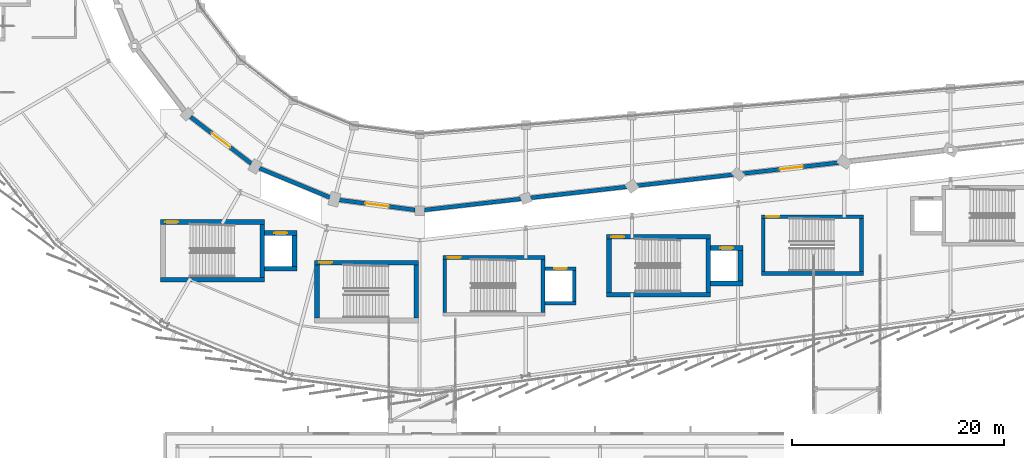
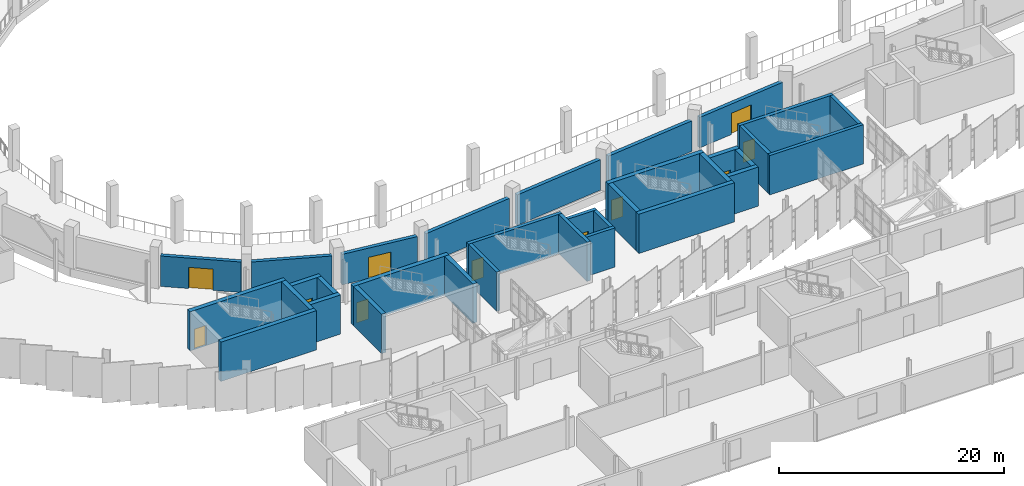
# One storey, part 104 of 125: 33 walls, 11 doors, 11 openings.
"""IFC4 building model written with IfcOpenShell, lengths in metres."""

from ifc_helpers import new_model, si_unit, direction, frame, frame_2d, origin, place, context, subcontext, project, spatial, rectangle, extrude, material, layer, layer_set, type_object, element, fill, save


model = new_model("IFC4")

# Units and contexts
model_context = context("Model", 3, precision=1e-05, world=origin(), true_north=direction((0.0, 1.0)))
body_context = subcontext(model_context, "Body", "Model", "MODEL_VIEW")
ifc_project = project(units=[si_unit("LENGTHUNIT", "METRE"), si_unit("AREAUNIT", "SQUARE_METRE"), si_unit("VOLUMEUNIT", "CUBIC_METRE"), si_unit("PLANEANGLEUNIT", "RADIAN"), si_unit("MASSUNIT", "GRAM", prefix="KILO")], contexts=[model_context])

# Site, building, storey
site_placement = place(None, origin())
site = spatial("IfcSite", under=ifc_project, at=site_placement, CompositionType="ELEMENT")
building_placement = place(site_placement, origin())
building = spatial("IfcBuilding", under=site, at=building_placement, Name="Sohan Crest Arena", CompositionType="ELEMENT")
storey_placement = place(building_placement, frame((0.0, 0.0, 9.0)))
storey = spatial("IfcBuildingStorey", under=building, at=storey_placement, Name="L02", CompositionType="ELEMENT", Elevation=9.0)

# Wall, opening, door
ifc_material_1 = material(Name="Acoustic insulated bowl drum enclosure wall", Category="masonry")
ifc_layer_1 = layer(ifc_material_1, 0.3701171875, Name="Acoustic insulated bowl drum enclosure wall")
ifc_layer_set_1 = layer_set([ifc_layer_1], Name="Acoustic insulated bowl drum enclosure wall")
wall_type_1 = type_object("IfcWallType", Name="WAL-EW05", PredefinedType="SOLIDWALL", material=ifc_layer_set_1)
wall_1_placement = place(storey_placement, frame((76.428955078125, 55.81201171875, 0.0), z_axis=(0.0, 0.0, 1.0), x_axis=(0.793318070515, -0.608807390719, 0.0)))
wall_1 = element("IfcWall", 1, at=wall_1_placement, inside=storey, type_object=wall_type_1, Name="Acoustic bowl drum wall BW-L02-10", PredefinedType="SOLIDWALL", context=body_context, shape_type="SweptSolid", body=[
    extrude(rectangle(XDim=7.212646484375, YDim=0.3701171875, at=frame_2d((3.6064453125, 0.0))), origin(), (0.0, 0.0, 1.0), 3.300048828125),
])
opening_1_placement = place(wall_1_placement, frame((2.506103515625, 0.0, 0.0)))
opening_1 = element("IfcOpeningElement", 2, at=opening_1_placement, cuts=wall_1, Name="Opening VD-L02-10", PredefinedType="OPENING", context=body_context, shape_type="SweptSolid", body=[
    extrude(rectangle(XDim=2.199951171875, YDim=2.300048828125, at=frame_2d((1.10009765625, 1.14990234375))), frame((0.0, 0.195068359375, 0.0), z_axis=(0.0, -1.0, 0.0), x_axis=(1.0, 0.0, 0.0)), (0.0, 0.0, 1.0), 0.39013671875),
])
ifc_material_2 = material(Name="Fire-rated steel double escape door", Category="steel")
door_type_1 = type_object("IfcDoorType", Name="DR-FD01", OperationType="DOUBLE_DOOR_SINGLE_SWING", PredefinedType="DOOR", material=ifc_material_2)
door_1_placement = place(opening_1_placement, origin())
door_1 = element("IfcDoor", 3, at=door_1_placement, inside=storey, type_object=door_type_1, Name="Bowl vomitory portal fire door VD-L02-10", OperationType="DOUBLE_DOOR_SINGLE_SWING", OverallHeight=2.300048828125, OverallWidth=2.199951171875, PredefinedType="DOOR", context=body_context, shape_type="SweptSolid", body=[
    extrude(rectangle(XDim=2.199951171875, YDim=2.300048828125, at=frame_2d((1.10009765625, 1.14990234375))), frame((0.0, 0.02490234375, 0.0), z_axis=(0.0, -1.0, 0.0), x_axis=(1.0, 0.0, 0.0)), (0.0, 0.0, 1.0), 0.050048828125),
])
fill(opening_1, door_1)

# Wall
wall_2_placement = place(storey_placement, frame((82.906982421875, 50.985107421875, 0.0), z_axis=(0.0, 0.0, 1.0), x_axis=(0.923828261086, -0.382807189089, 0.0)))
element("IfcWall", 4, at=wall_2_placement, inside=storey, type_object=wall_type_1, Name="Acoustic bowl drum wall BW-L02-11", PredefinedType="SOLIDWALL", context=body_context, shape_type="SweptSolid", body=[
    extrude(rectangle(XDim=7.21240234375, YDim=0.3701171875, at=frame_2d((3.606201171875, 0.0))), origin(), (0.0, 0.0, 1.0), 3.300048828125),
])

# Wall, opening, door
wall_3_placement = place(storey_placement, frame((90.4130859375, 47.9990234375, 0.0), z_axis=(0.0, 0.0, 1.0), x_axis=(0.991432160885, -0.130622625772, 0.0)))
wall_3 = element("IfcWall", 5, at=wall_3_placement, inside=storey, type_object=wall_type_1, Name="Acoustic bowl drum wall BW-L02-12", PredefinedType="SOLIDWALL", context=body_context, shape_type="SweptSolid", body=[
    extrude(rectangle(XDim=7.212646484375, YDim=0.3701171875, at=frame_2d((3.6064453125, 0.0))), origin(), (0.0, 0.0, 1.0), 3.300048828125),
])
opening_2_placement = place(wall_3_placement, frame((2.506103515625, 0.0, 0.0)))
opening_2 = element("IfcOpeningElement", 6, at=opening_2_placement, cuts=wall_3, Name="Opening VD-L02-12", PredefinedType="OPENING", context=body_context, shape_type="SweptSolid", body=[
    extrude(rectangle(XDim=2.199951171875, YDim=2.300048828125, at=frame_2d((1.10009765625, 1.14990234375))), frame((0.0, 0.195068359375, 0.0), z_axis=(0.0, -1.0, 0.0), x_axis=(1.0, 0.0, 0.0)), (0.0, 0.0, 1.0), 0.39013671875),
])
door_2_placement = place(opening_2_placement, origin())
door_2 = element("IfcDoor", 7, at=door_2_placement, inside=storey, type_object=door_type_1, Name="Bowl vomitory portal fire door VD-L02-12", OperationType="DOUBLE_DOOR_SINGLE_SWING", OverallHeight=2.300048828125, OverallWidth=2.199951171875, PredefinedType="DOOR", context=body_context, shape_type="SweptSolid", body=[
    extrude(rectangle(XDim=2.199951171875, YDim=2.300048828125, at=frame_2d((1.10009765625, 1.14990234375))), frame((0.0, 0.02490234375, 0.0), z_axis=(0.0, -1.0, 0.0), x_axis=(1.0, 0.0, 0.0)), (0.0, 0.0, 1.0), 0.050048828125),
])
fill(opening_2, door_2)

# Walls
for number, where, z_axis, x_axis, name in (
    (8, (98.43701171875, 47.050048828125, 0.0), (0.0, 0.0, 1.0), (0.993532672656, 0.113546591161, 0.0), "Acoustic bowl drum wall BW-L02-13"),
    (9, (108.43701171875, 48.193115234375, 0.0), (0.0, 0.0, 1.0), (0.993532672656, 0.113546591161, 0.0), "Acoustic bowl drum wall BW-L02-14"),
    (10, (118.43701171875, 49.3359375, 0.0), (0.0, 0.0, 1.0), (0.993532672656, 0.113546591161, 0.0), "Acoustic bowl drum wall BW-L02-15"),
):
    element("IfcWall", number, at=place(storey_placement, frame(where, z_axis=z_axis, x_axis=x_axis)), inside=storey, type_object=wall_type_1, Name=name, PredefinedType="SOLIDWALL", context=body_context, shape_type="SweptSolid", body=[
        extrude(rectangle(XDim=9.185302734375, YDim=0.3701171875, at=frame_2d((4.5927734375, 0.0))), origin(), (0.0, 0.0, 1.0), 3.300048828125),
    ])

# Wall, opening, door
wall_4_placement = place(storey_placement, frame((128.43701171875, 50.47900390625, 0.0), z_axis=(0.0, 0.0, 1.0), x_axis=(0.993544661122, 0.113441642955, 0.0)))
wall_4 = element("IfcWall", 11, at=wall_4_placement, inside=storey, type_object=wall_type_1, Name="Acoustic bowl drum wall BW-L02-16", PredefinedType="SOLIDWALL", context=body_context, shape_type="SweptSolid", body=[
    extrude(rectangle(XDim=9.185302734375, YDim=0.3701171875, at=frame_2d((4.5927734375, 0.0))), origin(), (0.0, 0.0, 1.0), 3.300048828125),
])
opening_3_placement = place(wall_4_placement, frame((3.492919921875, 0.0, 0.0)))
opening_3 = element("IfcOpeningElement", 12, at=opening_3_placement, cuts=wall_4, Name="Opening VD-L02-16", PredefinedType="OPENING", context=body_context, shape_type="SweptSolid", body=[
    extrude(rectangle(XDim=2.199951171875, YDim=2.300048828125, at=frame_2d((1.10009765625, 1.14990234375))), frame((0.0, 0.195068359375, 0.0), z_axis=(0.0, -1.0, 0.0), x_axis=(1.0, 0.0, 0.0)), (0.0, 0.0, 1.0), 0.39013671875),
])
door_3_placement = place(opening_3_placement, origin())
door_3 = element("IfcDoor", 13, at=door_3_placement, inside=storey, type_object=door_type_1, Name="Bowl vomitory portal fire door VD-L02-16", OperationType="DOUBLE_DOOR_SINGLE_SWING", OverallHeight=2.300048828125, OverallWidth=2.199951171875, PredefinedType="DOOR", context=body_context, shape_type="SweptSolid", body=[
    extrude(rectangle(XDim=2.199951171875, YDim=2.300048828125, at=frame_2d((1.10009765625, 1.14990234375))), frame((0.0, 0.02490234375, 0.0), z_axis=(0.0, -1.0, 0.0), x_axis=(1.0, 0.0, 0.0)), (0.0, 0.0, 1.0), 0.050048828125),
])
fill(opening_3, door_3)

# Walls
ifc_material_3 = material(Name="Concrete C40/50", Category="concrete")
ifc_layer_2 = layer(ifc_material_3, 0.35009765625, Name="Concrete C40/50")
ifc_layer_set_2 = layer_set([ifc_layer_2], Name="Concrete C40/50")
wall_type_2 = type_object("IfcWallType", Name="WAL-SW02", PredefinedType="SHEAR", material=ifc_layer_set_2)
for number, where, z_axis, x_axis, name in (
    (14, (100.375, 37.39990234375, 0.0), (0.0, 0.0, 1.0), (0.0, 1.0, 0.0), "Core shear wall SW-0257"),
    (15, (109.625, 37.39990234375, 0.0), (0.0, 0.0, 1.0), (0.0, 1.0, 0.0), "Core shear wall SW-0258"),
):
    element("IfcWall", number, at=place(storey_placement, frame(where, z_axis=z_axis, x_axis=x_axis)), inside=storey, type_object=wall_type_2, Name=name, PredefinedType="SHEAR", context=body_context, shape_type="SweptSolid", body=[
        extrude(rectangle(XDim=5.0, YDim=0.35009765625, at=frame_2d((2.5, 0.0))), origin(), (0.0, 0.0, 1.0), 4.25),
    ])

# Wall, opening, door
wall_5_placement = place(storey_placement, frame((100.199951171875, 42.574951171875, 0.0), z_axis=(0.0, 0.0, 1.0), x_axis=(1.0, 0.0, 0.0)))
wall_5 = element("IfcWall", 16, at=wall_5_placement, inside=storey, type_object=wall_type_2, Name="Core shear wall SW-0260", PredefinedType="SHEAR", context=body_context, shape_type="SweptSolid", body=[
    extrude(rectangle(XDim=9.60009765625, YDim=0.35009765625, at=frame_2d((4.800048828125, 0.0))), origin(), (0.0, 0.0, 1.0), 4.25),
])
opening_4_placement = place(wall_5_placement, frame((0.449951171875, 0.0, 0.0)))
opening_4 = element("IfcOpeningElement", 17, at=opening_4_placement, cuts=wall_5, Name="Opening SD-0075", PredefinedType="OPENING", context=body_context, shape_type="SweptSolid", body=[
    extrude(rectangle(XDim=1.199951171875, YDim=2.199951171875, at=frame_2d((0.60009765625, 1.10009765625))), frame((0.0, 0.18505859375, 0.0), z_axis=(0.0, -1.0, 0.0), x_axis=(1.0, 0.0, 0.0)), (0.0, 0.0, 1.0), 0.3701171875),
])
ifc_material_4 = material(Name="Fire-rated steel stair and lobby door", Category="steel")
door_type_2 = type_object("IfcDoorType", Name="DR-FD04", OperationType="NOTDEFINED", PredefinedType="DOOR", material=ifc_material_4)
door_4_placement = place(opening_4_placement, origin())
door_4 = element("IfcDoor", 18, at=door_4_placement, inside=storey, type_object=door_type_2, Name="Protected stair door SD-0075", OperationType="SINGLE_SWING_LEFT", OverallHeight=2.199951171875, OverallWidth=1.199951171875, PredefinedType="DOOR", context=body_context, shape_type="SweptSolid", body=[
    extrude(rectangle(XDim=1.199951171875, YDim=2.199951171875, at=frame_2d((0.60009765625, 1.10009765625))), frame((0.0, 0.02490234375, 0.0), z_axis=(0.0, -1.0, 0.0), x_axis=(1.0, 0.0, 0.0)), (0.0, 0.0, 1.0), 0.050048828125),
])
fill(opening_4, door_4)

# Walls
wall_6_placement = place(storey_placement, frame((112.574951171875, 38.449951171875, 0.0), z_axis=(0.0, 0.0, 1.0), x_axis=(0.0, 1.0, 0.0)))
element("IfcWall", 19, at=wall_6_placement, inside=storey, type_object=wall_type_2, Name="Core shear wall SW-0261", PredefinedType="SHEAR", context=body_context, shape_type="SweptSolid", body=[
    extrude(rectangle(XDim=2.900146484375, YDim=0.35009765625, at=frame_2d((1.4501953125, 0.0))), origin(), (0.0, 0.0, 1.0), 4.25),
])
wall_7_placement = place(storey_placement, frame((109.800048828125, 38.27490234375, 0.0), z_axis=(0.0, 0.0, 1.0), x_axis=(1.0, 0.0, 0.0)))
element("IfcWall", 20, at=wall_7_placement, inside=storey, type_object=wall_type_2, Name="Core shear wall SW-0262", PredefinedType="SHEAR", context=body_context, shape_type="SweptSolid", body=[
    extrude(rectangle(XDim=2.949951171875, YDim=0.35009765625, at=frame_2d((1.47509765625, 0.0))), origin(), (0.0, 0.0, 1.0), 4.25),
])

# Wall, opening, door
wall_8_placement = place(storey_placement, frame((109.800048828125, 41.52490234375, 0.0), z_axis=(0.0, 0.0, 1.0), x_axis=(1.0, 0.0, 0.0)))
wall_8 = element("IfcWall", 21, at=wall_8_placement, inside=storey, type_object=wall_type_2, Name="Core shear wall SW-0263", PredefinedType="SHEAR", context=body_context, shape_type="SweptSolid", body=[
    extrude(rectangle(XDim=2.949951171875, YDim=0.35009765625, at=frame_2d((1.47509765625, 0.0))), origin(), (0.0, 0.0, 1.0), 4.25),
])
opening_5_placement = place(wall_8_placement, frame((0.875, 0.0, 0.0)))
opening_5 = element("IfcOpeningElement", 22, at=opening_5_placement, cuts=wall_8, Name="Opening LD-LP03-L02", PredefinedType="OPENING", context=body_context, shape_type="SweptSolid", body=[
    extrude(rectangle(XDim=1.199951171875, YDim=2.199951171875, at=frame_2d((0.60009765625, 1.10009765625))), frame((0.0, 0.18505859375, 0.0), z_axis=(0.0, -1.0, 0.0), x_axis=(1.0, 0.0, 0.0)), (0.0, 0.0, 1.0), 0.3701171875),
])
ifc_material_5 = material(Name="Stainless steel passenger lift landing door", Category="steel")
door_type_3 = type_object("IfcDoorType", Name="DR-LD02", OperationType="SLIDING_TO_LEFT", PredefinedType="DOOR", material=ifc_material_5)
door_5_placement = place(opening_5_placement, origin())
door_5 = element("IfcDoor", 23, at=door_5_placement, inside=storey, type_object=door_type_3, Name="Sliding lift landing door LD-LP03-L02", OperationType="SLIDING_TO_LEFT", OverallHeight=2.199951171875, OverallWidth=1.199951171875, PredefinedType="DOOR", context=body_context, shape_type="SweptSolid", body=[
    extrude(rectangle(XDim=1.199951171875, YDim=2.199951171875, at=frame_2d((0.60009765625, 1.10009765625))), frame((0.0, 0.02490234375, 0.0), z_axis=(0.0, -1.0, 0.0), x_axis=(1.0, 0.0, 0.0)), (0.0, 0.0, 1.0), 0.050048828125),
])
fill(opening_5, door_5)

# Walls
for number, where, z_axis, x_axis, name in (
    (24, (130.375, 41.25, 0.0), (0.0, 0.0, 1.0), (0.0, 1.0, 0.0), "Core shear wall SW-0793"),
    (25, (139.625, 41.25, 0.0), (0.0, 0.0, 1.0), (0.0, 1.0, 0.0), "Core shear wall SW-0794"),
):
    element("IfcWall", number, at=place(storey_placement, frame(where, z_axis=z_axis, x_axis=x_axis)), inside=storey, type_object=wall_type_2, Name=name, PredefinedType="SHEAR", context=body_context, shape_type="SweptSolid", body=[
        extrude(rectangle(XDim=5.0, YDim=0.35009765625, at=frame_2d((2.5, 0.0))), origin(), (0.0, 0.0, 1.0), 4.25),
    ])
wall_9_placement = place(storey_placement, frame((130.199951171875, 41.074951171875, 0.0), z_axis=(0.0, 0.0, 1.0), x_axis=(1.0, 0.0, 0.0)))
element("IfcWall", 26, at=wall_9_placement, inside=storey, type_object=wall_type_2, Name="Core shear wall SW-0795", PredefinedType="SHEAR", context=body_context, shape_type="SweptSolid", body=[
    extrude(rectangle(XDim=9.60009765625, YDim=0.35009765625, at=frame_2d((4.800048828125, 0.0))), origin(), (0.0, 0.0, 1.0), 4.25),
])

# Wall, opening, door
wall_10_placement = place(storey_placement, frame((130.199951171875, 46.425048828125, 0.0), z_axis=(0.0, 0.0, 1.0), x_axis=(1.0, 0.0, 0.0)))
wall_10 = element("IfcWall", 27, at=wall_10_placement, inside=storey, type_object=wall_type_2, Name="Core shear wall SW-0796", PredefinedType="SHEAR", context=body_context, shape_type="SweptSolid", body=[
    extrude(rectangle(XDim=9.60009765625, YDim=0.35009765625, at=frame_2d((4.800048828125, 0.0))), origin(), (0.0, 0.0, 1.0), 4.25),
])
opening_6_placement = place(wall_10_placement, frame((0.449951171875, 0.0, 0.0)))
opening_6 = element("IfcOpeningElement", 28, at=opening_6_placement, cuts=wall_10, Name="Opening SD-0214", PredefinedType="OPENING", context=body_context, shape_type="SweptSolid", body=[
    extrude(rectangle(XDim=1.199951171875, YDim=2.199951171875, at=frame_2d((0.60009765625, 1.10009765625))), frame((0.0, 0.18505859375, 0.0), z_axis=(0.0, -1.0, 0.0), x_axis=(1.0, 0.0, 0.0)), (0.0, 0.0, 1.0), 0.3701171875),
])
door_6_placement = place(opening_6_placement, origin())
door_6 = element("IfcDoor", 29, at=door_6_placement, inside=storey, type_object=door_type_2, Name="Protected stair door SD-0214", OperationType="SINGLE_SWING_RIGHT", OverallHeight=2.199951171875, OverallWidth=1.199951171875, PredefinedType="DOOR", context=body_context, shape_type="SweptSolid", body=[
    extrude(rectangle(XDim=1.199951171875, YDim=2.199951171875, at=frame_2d((0.60009765625, 1.10009765625))), frame((0.0, 0.02490234375, 0.0), z_axis=(0.0, -1.0, 0.0), x_axis=(1.0, 0.0, 0.0)), (0.0, 0.0, 1.0), 0.050048828125),
])
fill(opening_6, door_6)

# Walls
ifc_layer_3 = layer(ifc_material_3, 0.449951171875, Name="Concrete C40/50")
ifc_layer_set_3 = layer_set([ifc_layer_3], Name="Concrete C40/50")
wall_type_3 = type_object("IfcWallType", Name="WAL-SW04", PredefinedType="SHEAR", material=ifc_layer_set_3)
wall_11_placement = place(storey_placement, frame((83.175048828125, 40.699951171875, 0.0), z_axis=(0.0, 0.0, 1.0), x_axis=(0.0, 1.0, 0.0)))
element("IfcWall", 30, at=wall_11_placement, inside=storey, type_object=wall_type_3, Name="Core shear wall SW-0163", PredefinedType="SHEAR", context=body_context, shape_type="SweptSolid", body=[
    extrude(rectangle(XDim=5.0, YDim=0.449951171875, at=frame_2d((2.5, 0.0))), origin(), (0.0, 0.0, 1.0), 4.25),
])
wall_12_placement = place(storey_placement, frame((73.60009765625, 40.47509765625, 0.0), z_axis=(0.0, 0.0, 1.0), x_axis=(1.0, 0.0, 0.0)))
element("IfcWall", 31, at=wall_12_placement, inside=storey, type_object=wall_type_3, Name="Core shear wall SW-0164", PredefinedType="SHEAR", context=body_context, shape_type="SweptSolid", body=[
    extrude(rectangle(XDim=9.7998046875, YDim=0.449951171875, at=frame_2d((4.89990234375, 0.0))), origin(), (0.0, 0.0, 1.0), 4.25),
])

# Wall, opening, door
wall_13_placement = place(storey_placement, frame((73.60009765625, 45.925048828125, 0.0), z_axis=(0.0, 0.0, 1.0), x_axis=(1.0, 0.0, 0.0)))
wall_13 = element("IfcWall", 32, at=wall_13_placement, inside=storey, type_object=wall_type_3, Name="Core shear wall SW-0165", PredefinedType="SHEAR", context=body_context, shape_type="SweptSolid", body=[
    extrude(rectangle(XDim=9.7998046875, YDim=0.449951171875, at=frame_2d((4.89990234375, 0.0))), origin(), (0.0, 0.0, 1.0), 4.25),
])
opening_7_placement = place(wall_13_placement, frame((0.449951171875, 0.0, 0.0)))
opening_7 = element("IfcOpeningElement", 33, at=opening_7_placement, cuts=wall_13, Name="Opening SD-0049", PredefinedType="OPENING", context=body_context, shape_type="SweptSolid", body=[
    extrude(rectangle(XDim=1.199951171875, YDim=2.199951171875, at=frame_2d((0.60009765625, 1.10009765625))), frame((0.0, 0.23486328125, 0.0), z_axis=(0.0, -1.0, 0.0), x_axis=(1.0, 0.0, 0.0)), (0.0, 0.0, 1.0), 0.469970703125),
])
door_7_placement = place(opening_7_placement, origin())
door_7 = element("IfcDoor", 34, at=door_7_placement, inside=storey, type_object=door_type_2, Name="Protected stair door SD-0049", OperationType="SINGLE_SWING_RIGHT", OverallHeight=2.199951171875, OverallWidth=1.199951171875, PredefinedType="DOOR", context=body_context, shape_type="SweptSolid", body=[
    extrude(rectangle(XDim=1.199951171875, YDim=2.199951171875, at=frame_2d((0.60009765625, 1.10009765625))), frame((0.0, 0.02490234375, 0.0), z_axis=(0.0, -1.0, 0.0), x_axis=(1.0, 0.0, 0.0)), (0.0, 0.0, 1.0), 0.050048828125),
])
fill(opening_7, door_7)

# Walls
wall_14_placement = place(storey_placement, frame((86.22509765625, 41.75, 0.0), z_axis=(0.0, 0.0, 1.0), x_axis=(0.0, 1.0, 0.0)))
element("IfcWall", 35, at=wall_14_placement, inside=storey, type_object=wall_type_3, Name="Core shear wall SW-0166", PredefinedType="SHEAR", context=body_context, shape_type="SweptSolid", body=[
    extrude(rectangle(XDim=2.89990234375, YDim=0.449951171875, at=frame_2d((1.449951171875, 0.0))), origin(), (0.0, 0.0, 1.0), 4.25),
])
wall_15_placement = place(storey_placement, frame((83.39990234375, 41.52490234375, 0.0), z_axis=(0.0, 0.0, 1.0), x_axis=(1.0, 0.0, 0.0)))
element("IfcWall", 36, at=wall_15_placement, inside=storey, type_object=wall_type_3, Name="Core shear wall SW-0167", PredefinedType="SHEAR", context=body_context, shape_type="SweptSolid", body=[
    extrude(rectangle(XDim=3.050048828125, YDim=0.449951171875, at=frame_2d((1.52490234375, 0.0))), origin(), (0.0, 0.0, 1.0), 4.25),
])

# Wall, opening, door
wall_16_placement = place(storey_placement, frame((83.39990234375, 44.875, 0.0), z_axis=(0.0, 0.0, 1.0), x_axis=(1.0, 0.0, 0.0)))
wall_16 = element("IfcWall", 37, at=wall_16_placement, inside=storey, type_object=wall_type_3, Name="Core shear wall SW-0168", PredefinedType="SHEAR", context=body_context, shape_type="SweptSolid", body=[
    extrude(rectangle(XDim=3.050048828125, YDim=0.449951171875, at=frame_2d((1.52490234375, 0.0))), origin(), (0.0, 0.0, 1.0), 4.25),
])
opening_8_placement = place(wall_16_placement, frame((0.925048828125, 0.0, 0.0)))
opening_8 = element("IfcOpeningElement", 38, at=opening_8_placement, cuts=wall_16, Name="Opening LD-LP01-L02", PredefinedType="OPENING", context=body_context, shape_type="SweptSolid", body=[
    extrude(rectangle(XDim=1.199951171875, YDim=2.199951171875, at=frame_2d((0.60009765625, 1.10009765625))), frame((0.0, 0.23486328125, 0.0), z_axis=(0.0, -1.0, 0.0), x_axis=(1.0, 0.0, 0.0)), (0.0, 0.0, 1.0), 0.469970703125),
])
door_8_placement = place(opening_8_placement, origin())
door_8 = element("IfcDoor", 39, at=door_8_placement, inside=storey, type_object=door_type_3, Name="Sliding lift landing door LD-LP01-L02", OperationType="SLIDING_TO_LEFT", OverallHeight=2.199951171875, OverallWidth=1.199951171875, PredefinedType="DOOR", context=body_context, shape_type="SweptSolid", body=[
    extrude(rectangle(XDim=1.199951171875, YDim=2.199951171875, at=frame_2d((0.60009765625, 1.10009765625))), frame((0.0, 0.02490234375, 0.0), z_axis=(0.0, -1.0, 0.0), x_axis=(1.0, 0.0, 0.0)), (0.0, 0.0, 1.0), 0.050048828125),
])
fill(opening_8, door_8)

# Walls
for number, where, z_axis, x_axis, name in (
    (40, (115.824951171875, 39.300048828125, 0.0), (0.0, 0.0, 1.0), (0.0, 1.0, 0.0), "Core shear wall SW-0349"),
    (41, (125.175048828125, 39.300048828125, 0.0), (0.0, 0.0, 1.0), (0.0, 1.0, 0.0), "Core shear wall SW-0350"),
):
    element("IfcWall", number, at=place(storey_placement, frame(where, z_axis=z_axis, x_axis=x_axis)), inside=storey, type_object=wall_type_3, Name=name, PredefinedType="SHEAR", context=body_context, shape_type="SweptSolid", body=[
        extrude(rectangle(XDim=5.0, YDim=0.449951171875, at=frame_2d((2.5, 0.0))), origin(), (0.0, 0.0, 1.0), 4.25),
    ])
wall_17_placement = place(storey_placement, frame((115.60009765625, 39.074951171875, 0.0), z_axis=(0.0, 0.0, 1.0), x_axis=(1.0, 0.0, 0.0)))
element("IfcWall", 42, at=wall_17_placement, inside=storey, type_object=wall_type_3, Name="Core shear wall SW-0351", PredefinedType="SHEAR", context=body_context, shape_type="SweptSolid", body=[
    extrude(rectangle(XDim=9.7998046875, YDim=0.449951171875, at=frame_2d((4.89990234375, 0.0))), origin(), (0.0, 0.0, 1.0), 4.25),
])

# Wall, opening, door
wall_18_placement = place(storey_placement, frame((115.60009765625, 44.52490234375, 0.0), z_axis=(0.0, 0.0, 1.0), x_axis=(1.0, 0.0, 0.0)))
wall_18 = element("IfcWall", 43, at=wall_18_placement, inside=storey, type_object=wall_type_3, Name="Core shear wall SW-0352", PredefinedType="SHEAR", context=body_context, shape_type="SweptSolid", body=[
    extrude(rectangle(XDim=9.7998046875, YDim=0.449951171875, at=frame_2d((4.89990234375, 0.0))), origin(), (0.0, 0.0, 1.0), 4.25),
])
opening_9_placement = place(wall_18_placement, frame((0.449951171875, 0.0, 0.0)))
opening_9 = element("IfcOpeningElement", 44, at=opening_9_placement, cuts=wall_18, Name="Opening SD-0099", PredefinedType="OPENING", context=body_context, shape_type="SweptSolid", body=[
    extrude(rectangle(XDim=1.199951171875, YDim=2.199951171875, at=frame_2d((0.60009765625, 1.10009765625))), frame((0.0, 0.23486328125, 0.0), z_axis=(0.0, -1.0, 0.0), x_axis=(1.0, 0.0, 0.0)), (0.0, 0.0, 1.0), 0.469970703125),
])
door_9_placement = place(opening_9_placement, origin())
door_9 = element("IfcDoor", 45, at=door_9_placement, inside=storey, type_object=door_type_2, Name="Protected stair door SD-0099", OperationType="SINGLE_SWING_LEFT", OverallHeight=2.199951171875, OverallWidth=1.199951171875, PredefinedType="DOOR", context=body_context, shape_type="SweptSolid", body=[
    extrude(rectangle(XDim=1.199951171875, YDim=2.199951171875, at=frame_2d((0.60009765625, 1.10009765625))), frame((0.0, 0.02490234375, 0.0), z_axis=(0.0, -1.0, 0.0), x_axis=(1.0, 0.0, 0.0)), (0.0, 0.0, 1.0), 0.050048828125),
])
fill(opening_9, door_9)

# Walls
wall_19_placement = place(storey_placement, frame((128.22509765625, 40.35009765625, 0.0), z_axis=(0.0, 0.0, 1.0), x_axis=(0.0, 1.0, 0.0)))
element("IfcWall", 46, at=wall_19_placement, inside=storey, type_object=wall_type_3, Name="Core shear wall SW-0353", PredefinedType="SHEAR", context=body_context, shape_type="SweptSolid", body=[
    extrude(rectangle(XDim=2.89990234375, YDim=0.449951171875, at=frame_2d((1.449951171875, 0.0))), origin(), (0.0, 0.0, 1.0), 4.25),
])
wall_20_placement = place(storey_placement, frame((125.39990234375, 40.125, 0.0), z_axis=(0.0, 0.0, 1.0), x_axis=(1.0, 0.0, 0.0)))
element("IfcWall", 47, at=wall_20_placement, inside=storey, type_object=wall_type_3, Name="Core shear wall SW-0354", PredefinedType="SHEAR", context=body_context, shape_type="SweptSolid", body=[
    extrude(rectangle(XDim=3.050048828125, YDim=0.449951171875, at=frame_2d((1.52490234375, 0.0))), origin(), (0.0, 0.0, 1.0), 4.25),
])

# Wall, opening, door
wall_21_placement = place(storey_placement, frame((125.39990234375, 43.47509765625, 0.0), z_axis=(0.0, 0.0, 1.0), x_axis=(1.0, 0.0, 0.0)))
wall_21 = element("IfcWall", 48, at=wall_21_placement, inside=storey, type_object=wall_type_3, Name="Core shear wall SW-0355", PredefinedType="SHEAR", context=body_context, shape_type="SweptSolid", body=[
    extrude(rectangle(XDim=3.050048828125, YDim=0.449951171875, at=frame_2d((1.52490234375, 0.0))), origin(), (0.0, 0.0, 1.0), 4.25),
])
opening_10_placement = place(wall_21_placement, frame((0.925048828125, 0.0, 0.0)))
opening_10 = element("IfcOpeningElement", 49, at=opening_10_placement, cuts=wall_21, Name="Opening LD-LP05-L02", PredefinedType="OPENING", context=body_context, shape_type="SweptSolid", body=[
    extrude(rectangle(XDim=1.199951171875, YDim=2.199951171875, at=frame_2d((0.60009765625, 1.10009765625))), frame((0.0, 0.23486328125, 0.0), z_axis=(0.0, -1.0, 0.0), x_axis=(1.0, 0.0, 0.0)), (0.0, 0.0, 1.0), 0.469970703125),
])
door_10_placement = place(opening_10_placement, origin())
door_10 = element("IfcDoor", 50, at=door_10_placement, inside=storey, type_object=door_type_3, Name="Sliding lift landing door LD-LP05-L02", OperationType="SLIDING_TO_LEFT", OverallHeight=2.199951171875, OverallWidth=1.199951171875, PredefinedType="DOOR", context=body_context, shape_type="SweptSolid", body=[
    extrude(rectangle(XDim=1.199951171875, YDim=2.199951171875, at=frame_2d((0.60009765625, 1.10009765625))), frame((0.0, 0.02490234375, 0.0), z_axis=(0.0, -1.0, 0.0), x_axis=(1.0, 0.0, 0.0)), (0.0, 0.0, 1.0), 0.050048828125),
])
fill(opening_10, door_10)

# Walls
for number, where, z_axis, x_axis, name in (
    (51, (88.324951171875, 36.860107421875, 0.0), (0.0, 0.0, 1.0), (0.0, 1.0, 0.0), "Core shear wall SW-0745"),
    (52, (97.675048828125, 36.860107421875, 0.0), (0.0, 0.0, 1.0), (0.0, 1.0, 0.0), "Core shear wall SW-0746"),
):
    element("IfcWall", number, at=place(storey_placement, frame(where, z_axis=z_axis, x_axis=x_axis)), inside=storey, type_object=wall_type_3, Name=name, PredefinedType="SHEAR", context=body_context, shape_type="SweptSolid", body=[
        extrude(rectangle(XDim=5.0, YDim=0.449951171875, at=frame_2d((2.5, 0.0))), origin(), (0.0, 0.0, 1.0), 4.25),
    ])

# Wall, opening, door
wall_22_placement = place(storey_placement, frame((88.10009765625, 42.0849609375, 0.0), z_axis=(0.0, 0.0, 1.0), x_axis=(1.0, 0.0, 0.0)))
wall_22 = element("IfcWall", 53, at=wall_22_placement, inside=storey, type_object=wall_type_3, Name="Core shear wall SW-0748", PredefinedType="SHEAR", context=body_context, shape_type="SweptSolid", body=[
    extrude(rectangle(XDim=9.7998046875, YDim=0.449951171875, at=frame_2d((4.89990234375, 0.0))), origin(), (0.0, 0.0, 1.0), 4.25),
])
opening_11_placement = place(wall_22_placement, frame((0.449951171875, 0.0, 0.0)))
opening_11 = element("IfcOpeningElement", 54, at=opening_11_placement, cuts=wall_22, Name="Opening SD-0202", PredefinedType="OPENING", context=body_context, shape_type="SweptSolid", body=[
    extrude(rectangle(XDim=1.199951171875, YDim=2.199951171875, at=frame_2d((0.60009765625, 1.10009765625))), frame((0.0, 0.23486328125, 0.0), z_axis=(0.0, -1.0, 0.0), x_axis=(1.0, 0.0, 0.0)), (0.0, 0.0, 1.0), 0.469970703125),
])
door_11_placement = place(opening_11_placement, origin())
door_11 = element("IfcDoor", 55, at=door_11_placement, inside=storey, type_object=door_type_2, Name="Protected stair door SD-0202", OperationType="SINGLE_SWING_RIGHT", OverallHeight=2.199951171875, OverallWidth=1.199951171875, PredefinedType="DOOR", context=body_context, shape_type="SweptSolid", body=[
    extrude(rectangle(XDim=1.199951171875, YDim=2.199951171875, at=frame_2d((0.60009765625, 1.10009765625))), frame((0.0, 0.02490234375, 0.0), z_axis=(0.0, -1.0, 0.0), x_axis=(1.0, 0.0, 0.0)), (0.0, 0.0, 1.0), 0.050048828125),
])
fill(opening_11, door_11)

save(model, "model.ifc")
